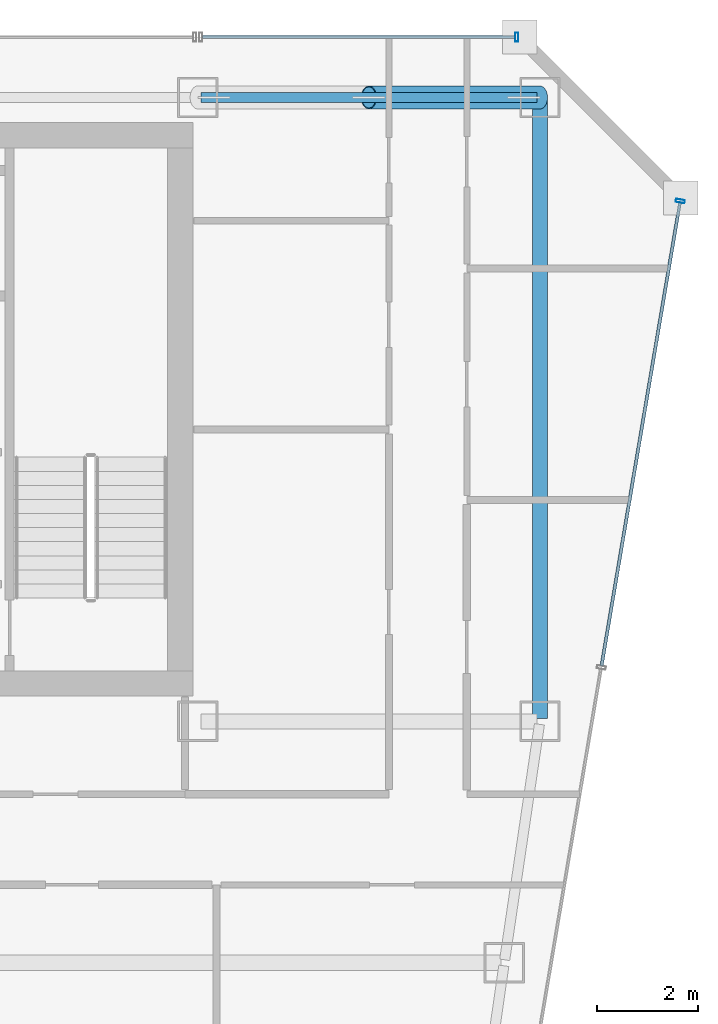
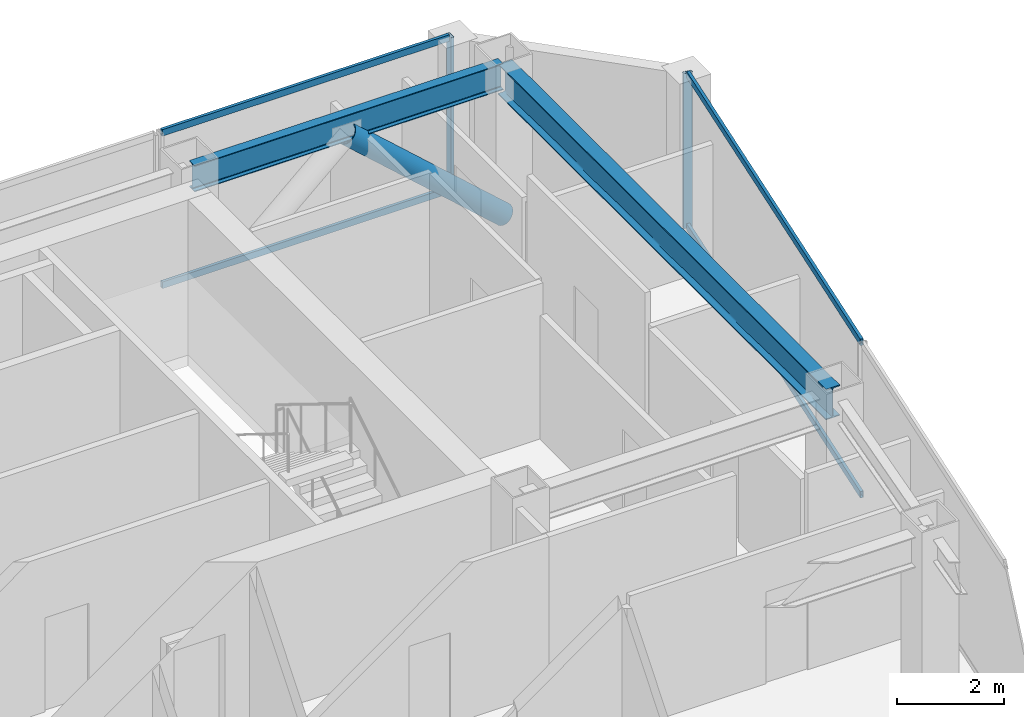
# One storey, part 27 of 36: 7 members, 2 beams, 2 elements without a shape of their own.
"""IFC4 building model written with IfcOpenShell, lengths in metres."""

from ifc_helpers import new_model, si_unit, direction, frame, origin, origin_2d, place, context, subcontext, project, spatial, hollow_rectangle, hollow_circle, i_section, extrude, material, material_profile, profile_set, type_object, element, aggregate, save


model = new_model("IFC4")

# Units and contexts
model_context = context("Model", 3, precision=1e-05, world=origin(), true_north=direction((0.0, 1.0)))
body_context = subcontext(model_context, "Body", "Model", "MODEL_VIEW")
ifc_project = project(units=[si_unit("LENGTHUNIT", "METRE"), si_unit("AREAUNIT", "SQUARE_METRE"), si_unit("VOLUMEUNIT", "CUBIC_METRE"), si_unit("PLANEANGLEUNIT", "RADIAN"), si_unit("MASSUNIT", "GRAM", prefix="KILO")], contexts=[model_context])

# Site, building, storey
site_placement = place(None, origin())
site = spatial("IfcSite", under=ifc_project, at=site_placement, CompositionType="ELEMENT")
building_placement = place(site_placement, origin())
building = spatial("IfcBuilding", under=site, at=building_placement, Name="Saevonmaru Cultural Tower", CompositionType="ELEMENT")
storey_placement = place(building_placement, frame((0.0, 0.0, 182.800048828125)))
storey = spatial("IfcBuildingStorey", under=building, at=storey_placement, Name="L41", CompositionType="ELEMENT", Elevation=182.800048828125)

# Beams
ifc_material_1 = material(Name="Steel SM355", Category="steel")
ifc_material_profile_1 = material_profile(ifc_material_1, i_section(OverallWidth=0.300048828125, OverallDepth=0.699951171875, WebThickness=0.012939453125, FlangeThickness=0.02392578125, FilletRadius=0.02587890625, at=origin_2d()), Name="H-700x300x13x24")
ifc_profile_set_1 = profile_set([ifc_material_profile_1], Name="Steel SM355")
beam_type_1 = type_object("IfcBeamType", Name="BM-G-H700", PredefinedType="BEAM", material=ifc_profile_set_1)
beam_1_placement = place(storey_placement, frame((53.199951171875, 54.739990234375, 3.199951171875), z_axis=(0.0, -1.0, 0.0), x_axis=(1.0, 0.0, 0.0)))
element("IfcBeam", 1, at=beam_1_placement, inside=storey, type_object=beam_type_1, Name="L41 Spine Transverse Girder E", PredefinedType="BEAM", context=body_context, shape_type="SweptSolid", body=[
    extrude(i_section(OverallWidth=0.300048828125, OverallDepth=0.699951171875, WebThickness=0.012939453125, FlangeThickness=0.02392578125, FilletRadius=0.02587890625, at=origin_2d()), origin(), (0.0, 0.0, 1.0), 12.280029296875),
])
ifc_material_profile_2 = material_profile(ifc_material_1, i_section(OverallWidth=0.199951171875, OverallDepth=0.60009765625, WebThickness=0.010986328125, FlangeThickness=0.01708984375, FilletRadius=0.02197265625, at=origin_2d()), Name="H-600x200x11x17")
ifc_profile_set_2 = profile_set([ifc_material_profile_2], Name="Steel SM355")
beam_type_2 = type_object("IfcBeamType", Name="BM-SP-H600", PredefinedType="SPANDREL", material=ifc_profile_set_2)
beam_2_placement = place(storey_placement, frame((46.4599609375, 54.800048828125, 3.25), z_axis=(1.0, 0.0, 0.0), x_axis=(0.0, 1.0, 0.0)))
element("IfcBeam", 2, at=beam_2_placement, inside=storey, type_object=beam_type_2, Name="L41 North Spine Girder 5", PredefinedType="SPANDREL", context=body_context, shape_type="SweptSolid", body=[
    extrude(i_section(OverallWidth=0.199951171875, OverallDepth=0.60009765625, WebThickness=0.010986328125, FlangeThickness=0.01708984375, FilletRadius=0.02197265625, at=origin_2d()), origin(), (0.0, 0.0, 1.0), 6.679931640625),
])

# Member
ifc_material_2 = material(Name="Steel SM420", Category="steel")
ifc_material_profile_3 = material_profile(ifc_material_2, hollow_circle(Radius=0.228515625, WallThickness=0.02001953125, at=origin_2d()), Name="CHS-457.2x20")
ifc_profile_set_3 = profile_set([ifc_material_profile_3], Name="Steel SM420")
member_type_1 = type_object("IfcMemberType", Name="MB-PBR-CHS457", PredefinedType="BRACE", material=ifc_profile_set_3)
member_1_placement = place(storey_placement, frame((53.199951171875, 54.800048828125, 0.02001953125), z_axis=(-0.744366945704, 0.0, 0.667770806597), x_axis=(0.0, -1.0, 0.0)))
element("IfcMember", 3, at=member_1_placement, inside=storey, type_object=member_type_1, Name="L41 Perimeter Braced-Tube Diagonal EN2", PredefinedType="BRACE", context=body_context, shape_type="SweptSolid", body=[
    extrude(hollow_circle(Radius=0.228515625, WallThickness=0.02001953125, at=origin_2d()), origin(), (0.0, 0.0, 1.0), 4.567626953125),
])

# Curtain wall, member
ifc_material_3 = material(Name="Satin Bronze Anodised Aluminium", Category="aluminium")
curtain_wall_type = type_object("IfcCurtainWallType", Name="CW-TYP-B", PredefinedType="NOTDEFINED", material=ifc_material_3)
curtain_wall_1_placement = place(storey_placement, origin())
curtain_wall_1 = element("IfcCurtainWall", 4, at=curtain_wall_1_placement, inside=storey, type_object=curtain_wall_type, Name="L41 Unitised Curtain Wall E8", PredefinedType="NOTDEFINED")
ifc_material_profile_4 = material_profile(ifc_material_3, hollow_rectangle(XDim=0.06494140625, YDim=0.179931640625, WallThickness=0.00390625, at=origin_2d()), Name="ALU-MULL-180x65x4")
ifc_profile_set_4 = profile_set([ifc_material_profile_4], Name="Satin Bronze Anodised Aluminium")
member_type_2 = type_object("IfcMemberType", Name="ML-CW-180x65", PredefinedType="MULLION", material=ifc_profile_set_4)
member_2_placement = place(storey_placement, frame((55.989990234375, 52.74072265625, 0.0), z_axis=(0.0, 0.0, 1.0), x_axis=(0.16692169721, 0.985970155228, 0.0)))
member_2 = element("IfcMember", 5, at=member_2_placement, type_object=member_type_2, Name="CW-TW-L41-E8 mullion 5", PredefinedType="MULLION", context=body_context, shape_type="SweptSolid", body=[
    extrude(hollow_rectangle(XDim=0.06494140625, YDim=0.179931640625, WallThickness=0.00390625, at=origin_2d()), origin(), (0.0, 0.0, 1.0), 3.550048828125),
])

curtain_wall_2_placement = place(storey_placement, origin())
curtain_wall_2 = element("IfcCurtainWall", 6, at=curtain_wall_2_placement, inside=storey, type_object=curtain_wall_type, Name="L41 East Braced Bay Spandrel Curtain Wall E10A", PredefinedType="NOTDEFINED")
member_3_placement = place(storey_placement, frame((52.739990234375, 56.0, 0.0), z_axis=(0.0, 0.0, 1.0), x_axis=(-1.0, 0.0, 0.0)))
member_3 = element("IfcMember", 7, at=member_3_placement, type_object=member_type_2, Name="CW-TW-L41-E10A mullion 1", PredefinedType="MULLION", context=body_context, shape_type="SweptSolid", body=[
    extrude(hollow_rectangle(XDim=0.06494140625, YDim=0.179931640625, WallThickness=0.00390625, at=origin_2d()), origin(), (0.0, 0.0, 1.0), 3.550048828125),
])

# Member
ifc_material_profile_5 = material_profile(ifc_material_3, hollow_rectangle(XDim=0.06494140625, YDim=0.14990234375, WallThickness=0.00390625, at=origin_2d()), Name="ALU-TRAN-150x65x4")
ifc_profile_set_5 = profile_set([ifc_material_profile_5], Name="Satin Bronze Anodised Aluminium")
member_type_3 = type_object("IfcMemberType", Name="TR-CW-150x65", PredefinedType="USERDEFINED", material=ifc_profile_set_5)
member_4_placement = place(storey_placement, frame((54.426025390625, 43.50244140625, 0.032470703125), z_axis=(0.166921263871, 0.985970228591, 0.0), x_axis=(-0.985970228591, 0.166921263871, 0.0)))
member_4 = element("IfcMember", 8, at=member_4_placement, type_object=member_type_3, Name="CW-TW-L41-E8 transom 4.1", ObjectType="TRANSOM", PredefinedType="USERDEFINED", context=body_context, shape_type="SweptSolid", body=[
    extrude(hollow_rectangle(XDim=0.06494140625, YDim=0.14990234375, WallThickness=0.00390625, at=origin_2d()), origin(), (0.0, 0.0, 1.0), 9.33740234375),
])

member_5_placement = place(storey_placement, frame((54.426025390625, 43.50244140625, 3.517333984375), z_axis=(0.166921263871, 0.985970228591, 0.0), x_axis=(-0.985970228591, 0.166921263871, 0.0)))
member_5 = element("IfcMember", 9, at=member_5_placement, type_object=member_type_3, Name="CW-TW-L41-E8 transom 4.2", ObjectType="TRANSOM", PredefinedType="USERDEFINED", context=body_context, shape_type="SweptSolid", body=[
    extrude(hollow_rectangle(XDim=0.06494140625, YDim=0.14990234375, WallThickness=0.00390625, at=origin_2d()), origin(), (0.0, 0.0, 1.0), 9.33740234375),
])

aggregate(curtain_wall_1, [member_2, member_4, member_5])

member_6_placement = place(storey_placement, frame((52.70751953125, 56.0, 0.032470703125), z_axis=(-1.0, 0.0, 0.0), x_axis=(0.0, -1.0, 0.0)))
member_6 = element("IfcMember", 10, at=member_6_placement, type_object=member_type_3, Name="CW-TW-L41-E10A transom 1.1", ObjectType="TRANSOM", PredefinedType="USERDEFINED", context=body_context, shape_type="SweptSolid", body=[
    extrude(hollow_rectangle(XDim=0.06494140625, YDim=0.14990234375, WallThickness=0.00390625, at=origin_2d()), origin(), (0.0, 0.0, 1.0), 6.215087890625),
])

member_7_placement = place(storey_placement, frame((52.70751953125, 56.0, 3.517333984375), z_axis=(-1.0, 0.0, 0.0), x_axis=(0.0, -1.0, 0.0)))
member_7 = element("IfcMember", 11, at=member_7_placement, type_object=member_type_3, Name="CW-TW-L41-E10A transom 1.2", ObjectType="TRANSOM", PredefinedType="USERDEFINED", context=body_context, shape_type="SweptSolid", body=[
    extrude(hollow_rectangle(XDim=0.06494140625, YDim=0.14990234375, WallThickness=0.00390625, at=origin_2d()), origin(), (0.0, 0.0, 1.0), 6.215087890625),
])

aggregate(curtain_wall_2, [member_3, member_6, member_7])

save(model, "model.ifc")
